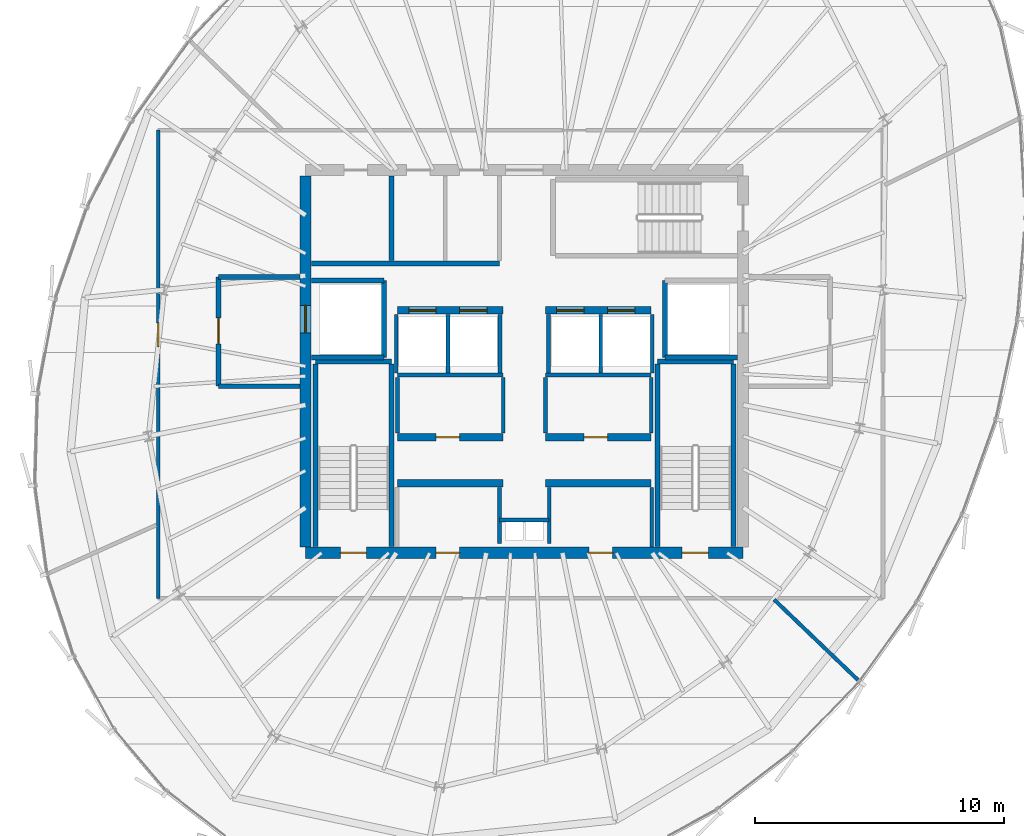
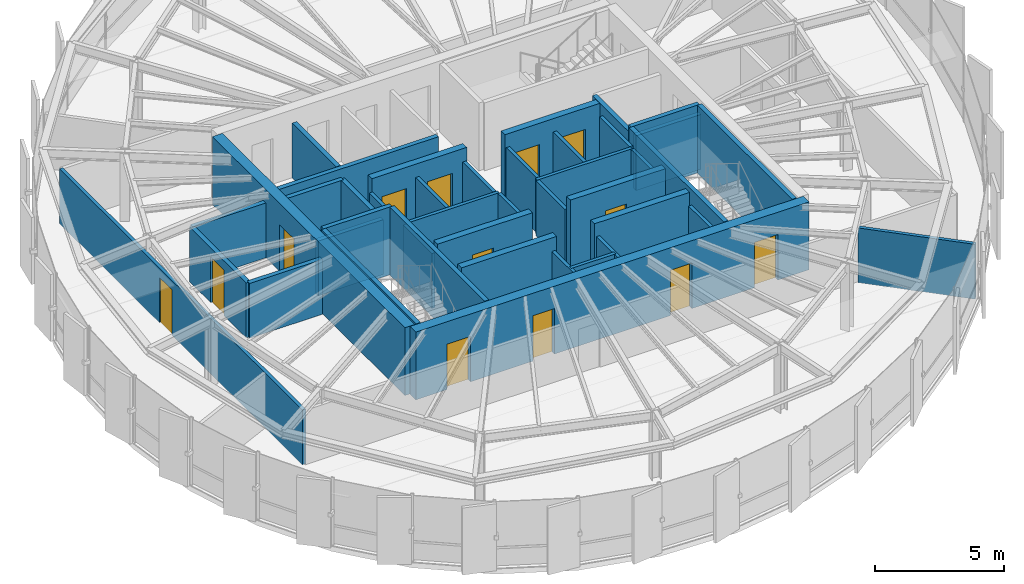
# One storey, part 25 of 31: 42 walls, 13 doors, 13 openings.
"""IFC4 building model written with IfcOpenShell, lengths in metres."""

from ifc_helpers import new_model, si_unit, direction, frame, frame_2d, origin, place, context, subcontext, project, spatial, rectangle, extrude, source, transform, mapped, material, layer, layer_set, type_object, element, fill, save


model = new_model("IFC4")

# Units and contexts
model_context = context("Model", 3, precision=1e-05, world=origin(), true_north=direction((0.0, 1.0)))
body_context = subcontext(model_context, "Body", "Model", "MODEL_VIEW")
ifc_project = project(units=[si_unit("LENGTHUNIT", "METRE"), si_unit("AREAUNIT", "SQUARE_METRE"), si_unit("VOLUMEUNIT", "CUBIC_METRE"), si_unit("PLANEANGLEUNIT", "RADIAN"), si_unit("MASSUNIT", "GRAM", prefix="KILO"), si_unit("THERMODYNAMICTEMPERATUREUNIT", "KELVIN")], contexts=[model_context])

# Site, building, storey
site_placement = place(None, origin())
site = spatial("IfcSite", under=ifc_project, at=site_placement, CompositionType="ELEMENT")
building_placement = place(site_placement, origin())
building = spatial("IfcBuilding", under=site, at=building_placement, Name="Kethvar Cultural Tower", CompositionType="ELEMENT")
storey_placement = place(building_placement, frame((0.0, 0.0, 269.800048828125)))
storey = spatial("IfcBuildingStorey", under=building, at=storey_placement, Name="L71", CompositionType="ELEMENT", Elevation=269.800048828125)

# Wall, openings, doors
ifc_material_1 = material(Name="Concrete C50/60", Category="concrete")
ifc_layer_1 = layer(ifc_material_1, 0.449951171875, Name="Concrete C50/60", Category="concrete")
ifc_layer_set_1 = layer_set([ifc_layer_1], Name="Concrete C50/60 (450 mm)")
wall_type_1 = type_object("IfcWallType", Name="WL-CORE-450", PredefinedType="SHEAR", material=ifc_layer_set_1)
wall_1_placement = place(storey_placement, frame((38.0, 20.10009765625, 0.0), z_axis=(0.0, 0.0, 1.0), x_axis=(1.0, 0.0, 0.0)))
wall_1 = element("IfcWall", 1, at=wall_1_placement, inside=storey, type_object=wall_type_1, Name="L71 Core Shear Wall S", PredefinedType="SHEAR", context=body_context, shape_type="SweptSolid", body=[
    extrude(rectangle(XDim=17.60009765625, YDim=0.449951171875, at=frame_2d((8.800048828125, 0.0))), origin(), (0.0, 0.0, 1.0), 3.2099609375),
])
opening_1_placement = place(wall_1_placement, frame((1.39990234375, 0.0, 0.0)))
opening_1 = element("IfcOpeningElement", 2, at=opening_1_placement, cuts=wall_1, Name="Opening D-L71-S1", PredefinedType="OPENING", context=body_context, shape_type="SweptSolid", body=[
    extrude(rectangle(XDim=1.050048828125, YDim=2.14990234375, at=frame_2d((0.52490234375, 1.074951171875))), frame((0.0, 0.23486328125, 0.0), z_axis=(0.0, -1.0, 0.0), x_axis=(1.0, 0.0, 0.0)), (0.0, 0.0, 1.0), 0.469970703125),
])
opening_2_placement = place(wall_1_placement, frame((15.14990234375, 0.0, 0.0)))
opening_2 = element("IfcOpeningElement", 3, at=opening_2_placement, cuts=wall_1, Name="Opening D-L71-ST2", PredefinedType="OPENING", context=body_context, shape_type="SweptSolid", body=[
    extrude(rectangle(XDim=1.050048828125, YDim=2.14990234375, at=frame_2d((0.52490234375, 1.074951171875))), frame((0.0, 0.23486328125, 0.0), z_axis=(0.0, -1.0, 0.0), x_axis=(1.0, 0.0, 0.0)), (0.0, 0.0, 1.0), 0.469970703125),
])
opening_3_placement = place(wall_1_placement, frame((5.25, 0.0, 0.0)))
opening_3 = element("IfcOpeningElement", 4, at=opening_3_placement, cuts=wall_1, Name="Opening D-L71-V1", PredefinedType="OPENING", context=body_context, shape_type="SweptSolid", body=[
    extrude(rectangle(XDim=0.949951171875, YDim=2.14990234375, at=frame_2d((0.47509765625, 1.074951171875))), frame((0.0, 0.23486328125, 0.0), z_axis=(0.0, -1.0, 0.0), x_axis=(1.0, 0.0, 0.0)), (0.0, 0.0, 1.0), 0.469970703125),
])
opening_4_placement = place(wall_1_placement, frame((11.39990234375, 0.0, 0.0)))
opening_4 = element("IfcOpeningElement", 5, at=opening_4_placement, cuts=wall_1, Name="Opening D-L71-V2", PredefinedType="OPENING", context=body_context, shape_type="SweptSolid", body=[
    extrude(rectangle(XDim=0.949951171875, YDim=2.14990234375, at=frame_2d((0.47509765625, 1.074951171875))), frame((0.0, 0.23486328125, 0.0), z_axis=(0.0, -1.0, 0.0), x_axis=(1.0, 0.0, 0.0)), (0.0, 0.0, 1.0), 0.469970703125),
])
ifc_material_2 = material(Name="Steel S355J2", Category="steel")
door_type_1 = type_object("IfcDoorType", Name="DR-FD60-1050", OperationType="NOTDEFINED", PredefinedType="DOOR", material=ifc_material_2)
shared_shape_1 = source(origin(), body_context, "Body", "SweptSolid", [
    extrude(rectangle(XDim=1.050048828125, YDim=2.14990234375, at=frame_2d((0.52490234375, 1.074951171875))), frame((0.0, 0.02490234375, 0.0), z_axis=(0.0, -1.0, 0.0), x_axis=(1.0, 0.0, 0.0)), (0.0, 0.0, 1.0), 0.050048828125),
])
door_1_placement = place(opening_1_placement, origin())
door_1 = element("IfcDoor", 6, at=door_1_placement, inside=storey, type_object=door_type_1, Name="L71 Exit Stair 1 Door", OperationType="SINGLE_SWING_LEFT", OverallHeight=2.14990234375, OverallWidth=1.050048828125, PredefinedType="DOOR", context=body_context, shape_type="MappedRepresentation", body=[
    mapped(shared_shape_1, transform((0.0, 0.0, 0.0), scale=1.0)),
])
fill(opening_1, door_1)
door_2_placement = place(opening_2_placement, origin())
door_2 = element("IfcDoor", 7, at=door_2_placement, inside=storey, type_object=door_type_1, Name="L71 Exit Stair 2 Door", OperationType="SINGLE_SWING_RIGHT", OverallHeight=2.14990234375, OverallWidth=1.050048828125, PredefinedType="DOOR", context=body_context, shape_type="MappedRepresentation", body=[
    mapped(shared_shape_1, transform((0.0, 0.0, 0.0), scale=1.0)),
])
fill(opening_2, door_2)
ifc_material_3 = material(Name="Architectural Oak Timber", Category="wood")
door_type_2 = type_object("IfcDoorType", Name="DR-FD30-950", OperationType="NOTDEFINED", PredefinedType="DOOR", material=ifc_material_3)
shared_shape_2 = source(origin(), body_context, "Body", "SweptSolid", [
    extrude(rectangle(XDim=0.949951171875, YDim=2.14990234375, at=frame_2d((0.47509765625, 1.074951171875))), frame((0.0, 0.02490234375, 0.0), z_axis=(0.0, -1.0, 0.0), x_axis=(1.0, 0.0, 0.0)), (0.0, 0.0, 1.0), 0.050048828125),
])
door_3_placement = place(opening_3_placement, origin())
door_3 = element("IfcDoor", 8, at=door_3_placement, inside=storey, type_object=door_type_2, Name="L71 Reclaimed West Room Door", OperationType="SINGLE_SWING_LEFT", OverallHeight=2.14990234375, OverallWidth=0.949951171875, PredefinedType="DOOR", context=body_context, shape_type="MappedRepresentation", body=[
    mapped(shared_shape_2, transform((0.0, 0.0, 0.0), scale=1.0)),
])
fill(opening_3, door_3)
door_4_placement = place(opening_4_placement, origin())
door_4 = element("IfcDoor", 9, at=door_4_placement, inside=storey, type_object=door_type_2, Name="L71 Reclaimed East Room Door", OperationType="SINGLE_SWING_RIGHT", OverallHeight=2.14990234375, OverallWidth=0.949951171875, PredefinedType="DOOR", context=body_context, shape_type="MappedRepresentation", body=[
    mapped(shared_shape_2, transform((0.0, 0.0, 0.0), scale=1.0)),
])
fill(opening_4, door_4)

# Wall, opening, door
wall_2_placement = place(storey_placement, frame((38.0, 35.260009765625, 0.0), z_axis=(0.0, 0.0, 1.0), x_axis=(0.0, -1.0, 0.0)))
wall_2 = element("IfcWall", 10, at=wall_2_placement, inside=storey, type_object=wall_type_1, Name="L71 Core Shear Wall W", PredefinedType="SHEAR", context=body_context, shape_type="SweptSolid", body=[
    extrude(rectangle(XDim=14.919921875, YDim=0.449951171875, at=frame_2d((7.4599609375, 0.0))), origin(), (0.0, 0.0, 1.0), 3.2099609375),
])
opening_5_placement = place(wall_2_placement, frame((5.2099609375, 0.0, 0.0)))
opening_5 = element("IfcOpeningElement", 11, at=opening_5_placement, cuts=wall_2, Name="Opening LD-1", PredefinedType="OPENING", context=body_context, shape_type="SweptSolid", body=[
    extrude(rectangle(XDim=1.10009765625, YDim=2.199951171875, at=frame_2d((0.550048828125, 1.10009765625))), frame((0.0, 0.23486328125, 0.0), z_axis=(0.0, -1.0, 0.0), x_axis=(1.0, 0.0, 0.0)), (0.0, 0.0, 1.0), 0.469970703125),
])
door_type_3 = type_object("IfcDoorType", Name="DR-LIFT-SLIDE-1100", OperationType="NOTDEFINED", PredefinedType="DOOR", material=ifc_material_2)
shared_shape_3 = source(origin(), body_context, "Body", "SweptSolid", [
    extrude(rectangle(XDim=1.10009765625, YDim=2.199951171875, at=frame_2d((0.550048828125, 1.10009765625))), frame((0.0, 0.02490234375, 0.0), z_axis=(0.0, -1.0, 0.0), x_axis=(1.0, 0.0, 0.0)), (0.0, 0.0, 1.0), 0.050048828125),
])
door_5_placement = place(opening_5_placement, origin())
door_5 = element("IfcDoor", 12, at=door_5_placement, inside=storey, type_object=door_type_3, Name="L71 Firefighting Lift Landing Door FFL-01", OperationType="SLIDING_TO_LEFT", OverallHeight=2.199951171875, OverallWidth=1.10009765625, PredefinedType="DOOR", context=body_context, shape_type="MappedRepresentation", body=[
    mapped(shared_shape_3, transform((0.0, 0.0, 0.0), scale=1.0)),
])
fill(opening_5, door_5)

# Walls
ifc_material_4 = material(Name="Gypsum Fireboard Partition")
ifc_layer_2 = layer(ifc_material_4, 0.14990234375, Name="Gypsum Fireboard Partition")
ifc_layer_set_2 = layer_set([ifc_layer_2], Name="Gypsum Fireboard Partition (150 mm)")
wall_type_2 = type_object("IfcWallType", Name="WL-FIRE-150", PredefinedType="PARTITIONING", material=ifc_layer_set_2)
wall_3_placement = place(storey_placement, frame((45.800048828125, 21.419921875, 0.0), z_axis=(0.0, 0.0, 1.0), x_axis=(1.0, 0.0, 0.0)))
element("IfcWall", 13, at=wall_3_placement, inside=storey, type_object=wall_type_2, Name="L71 Core Riser Wall", PredefinedType="PARTITIONING", context=body_context, shape_type="SweptSolid", body=[
    extrude(rectangle(XDim=2.0, YDim=0.14990234375, at=frame_2d((1.0, 0.0))), origin(), (0.0, 0.0, 1.0), 2.594970703125),
])
for number, where, z_axis, x_axis, name in (
    (14, (45.800048828125, 20.47998046875, 0.0), (0.0, 0.0, 1.0), (0.0, 1.0, 0.0), "L71 Core Riser West Wall"),
    (15, (47.800048828125, 20.47998046875, 0.0), (0.0, 0.0, 1.0), (0.0, 1.0, 0.0), "L71 Core Riser East Wall"),
):
    element("IfcWall", number, at=place(storey_placement, frame(where, z_axis=z_axis, x_axis=x_axis)), inside=storey, type_object=wall_type_2, Name=name, PredefinedType="PARTITIONING", context=body_context, shape_type="SweptSolid", body=[
        extrude(rectangle(XDim=2.239990234375, YDim=0.14990234375, at=frame_2d((1.1201171875, 0.0))), origin(), (0.0, 0.0, 1.0), 2.594970703125),
    ])
wall_4_placement = place(storey_placement, frame((51.919921875, 20.3349609375, 0.0), z_axis=(0.0, 0.0, 1.0), x_axis=(0.0, 1.0, 0.0)))
element("IfcWall", 16, at=wall_4_placement, inside=storey, type_object=wall_type_2, Name="L71 Reclaimed East Outer Wall", PredefinedType="PARTITIONING", context=body_context, shape_type="SweptSolid", body=[
    extrude(rectangle(XDim=2.39501953125, YDim=0.14990234375, at=frame_2d((1.197509765625, 0.0))), origin(), (0.0, 0.0, 1.0), 2.594970703125),
])
for number, where, z_axis, x_axis, name in (
    (17, (41.699951171875, 27.25, 0.0), (0.0, 0.0, 1.0), (1.0, 0.0, 0.0), "L71 Reclaimed Mid Wall W"),
    (18, (47.64990234375, 27.25, 0.0), (0.0, 0.0, 1.0), (1.0, 0.0, 0.0), "L71 Reclaimed Mid Wall E"),
):
    element("IfcWall", number, at=place(storey_placement, frame(where, z_axis=z_axis, x_axis=x_axis)), inside=storey, type_object=wall_type_2, Name=name, PredefinedType="PARTITIONING", context=body_context, shape_type="SweptSolid", body=[
        extrude(rectangle(XDim=4.25, YDim=0.14990234375, at=frame_2d((2.125, 0.0))), origin(), (0.0, 0.0, 1.0), 2.594970703125),
    ])
for number, where, z_axis, x_axis, name in (
    (19, (41.699951171875, 24.919921875, 0.0), (0.0, 0.0, 1.0), (0.0, 1.0, 0.0), "L71 Reclaimed Mid Outer W"),
    (20, (45.949951171875, 24.919921875, 0.0), (0.0, 0.0, 1.0), (0.0, 1.0, 0.0), "L71 Reclaimed Mid Spine W"),
    (21, (47.64990234375, 24.919921875, 0.0), (0.0, 0.0, 1.0), (0.0, 1.0, 0.0), "L71 Reclaimed Mid Spine E"),
    (22, (51.89990234375, 24.919921875, 0.0), (0.0, 0.0, 1.0), (0.0, 1.0, 0.0), "L71 Reclaimed Mid Outer E"),
):
    element("IfcWall", number, at=place(storey_placement, frame(where, z_axis=z_axis, x_axis=x_axis)), inside=storey, type_object=wall_type_2, Name=name, PredefinedType="PARTITIONING", context=body_context, shape_type="SweptSolid", body=[
        extrude(rectangle(XDim=2.239990234375, YDim=0.14990234375, at=frame_2d((1.1201171875, 0.0))), origin(), (0.0, 0.0, 1.0), 2.594970703125),
    ])
for number, where, z_axis, x_axis, name in (
    (23, (41.64990234375, 27.340087890625, 0.0), (0.0, 0.0, 1.0), (0.0, 1.0, 0.0), "L71 High-Rise Lift Shaft Outer Wall W"),
    (24, (43.72509765625, 27.340087890625, 0.0), (0.0, 0.0, 1.0), (0.0, 1.0, 0.0), "L71 High-Rise Lift Shaft Divider W"),
    (25, (45.824951171875, 27.340087890625, 0.0), (0.0, 0.0, 1.0), (0.0, 1.0, 0.0), "L71 High-Rise Lift Shaft Concourse Wall W"),
    (26, (47.77490234375, 27.340087890625, 0.0), (0.0, 0.0, 1.0), (0.0, 1.0, 0.0), "L71 High-Rise Lift Shaft Concourse Wall E"),
    (27, (49.875, 27.340087890625, 0.0), (0.0, 0.0, 1.0), (0.0, 1.0, 0.0), "L71 High-Rise Lift Shaft Divider E"),
    (28, (51.949951171875, 27.340087890625, 0.0), (0.0, 0.0, 1.0), (0.0, 1.0, 0.0), "L71 High-Rise Lift Shaft Outer Wall E"),
):
    element("IfcWall", number, at=place(storey_placement, frame(where, z_axis=z_axis, x_axis=x_axis)), inside=storey, type_object=wall_type_2, Name=name, PredefinedType="PARTITIONING", context=body_context, shape_type="SweptSolid", body=[
        extrude(rectangle(XDim=2.33984375, YDim=0.14990234375, at=frame_2d((1.169921875, 0.0))), origin(), (0.0, 0.0, 1.0), 2.594970703125),
    ])

# Wall, opening, door
wall_5_placement = place(storey_placement, frame((32.070068359375, 37.10009765625, 0.0), z_axis=(0.0, 0.0, 1.0), x_axis=(0.0, -1.0, 0.0)))
wall_5 = element("IfcWall", 29, at=wall_5_placement, inside=storey, type_object=wall_type_2, Name="L71 Corridor Rated Wall W", PredefinedType="PARTITIONING", context=body_context, shape_type="SweptSolid", body=[
    extrude(rectangle(XDim=18.8310546875, YDim=0.14990234375, at=frame_2d((9.41552734375, 0.0))), origin(), (0.0, 0.0, 1.0), 2.594970703125),
])
opening_6_placement = place(wall_5_placement, frame((7.75390625, 0.0, 0.0)))
opening_6 = element("IfcOpeningElement", 30, at=opening_6_placement, cuts=wall_5, Name="Opening D-L71-04", PredefinedType="OPENING", context=body_context, shape_type="SweptSolid", body=[
    extrude(rectangle(XDim=0.949951171875, YDim=2.14990234375, at=frame_2d((0.47509765625, 1.074951171875))), frame((0.0, 0.0849609375, 0.0), z_axis=(0.0, -1.0, 0.0), x_axis=(1.0, 0.0, 0.0)), (0.0, 0.0, 1.0), 0.169921875),
])
door_6_placement = place(opening_6_placement, origin())
door_6 = element("IfcDoor", 31, at=door_6_placement, inside=storey, type_object=door_type_2, Name="L71 Special Collections Storage 04 Door", OperationType="SINGLE_SWING_LEFT", OverallHeight=2.14990234375, OverallWidth=0.949951171875, PredefinedType="DOOR", context=body_context, shape_type="MappedRepresentation", body=[
    mapped(shared_shape_2, transform((0.0, 0.0, 0.0), scale=1.0)),
])
fill(opening_6, door_6)

# Walls
ifc_material_5 = material(Name="Concrete C40/50", Category="concrete")
ifc_layer_3 = layer(ifc_material_5, 0.199951171875, Name="Concrete C40/50", Category="concrete")
ifc_layer_set_3 = layer_set([ifc_layer_3], Name="Concrete C40/50 (200 mm)")
wall_type_3 = type_object("IfcWallType", Name="WL-FIRE-200", PredefinedType="PARTITIONING", material=ifc_layer_set_3)
wall_6_placement = place(storey_placement, frame((41.14990234375, 27.949951171875, 0.0), z_axis=(0.0, 0.0, 1.0), x_axis=(0.0, 1.0, 0.0)))
element("IfcWall", 32, at=wall_6_placement, inside=storey, type_object=wall_type_3, Name="L71 FFL-01 Shaft Inner Wall", PredefinedType="PARTITIONING", context=body_context, shape_type="SweptSolid", body=[
    extrude(rectangle(XDim=3.10009765625, YDim=0.199951171875, at=frame_2d((1.550048828125, 0.0))), origin(), (0.0, 0.0, 1.0), 2.594970703125),
])
for number, where, z_axis, x_axis, name in (
    (33, (38.235107421875, 27.949951171875, 0.0), (0.0, 0.0, 1.0), (1.0, 0.0, 0.0), "L71 FFL-01 Shaft South Wall"),
    (34, (38.235107421875, 31.050048828125, 0.0), (0.0, 0.0, 1.0), (1.0, 0.0, 0.0), "L71 FFL-01 Shaft North Wall"),
):
    element("IfcWall", number, at=place(storey_placement, frame(where, z_axis=z_axis, x_axis=x_axis)), inside=storey, type_object=wall_type_3, Name=name, PredefinedType="PARTITIONING", context=body_context, shape_type="SweptSolid", body=[
        extrude(rectangle(XDim=2.914794921875, YDim=0.199951171875, at=frame_2d((1.45751953125, 0.0))), origin(), (0.0, 0.0, 1.0), 2.594970703125),
    ])

# Wall, opening, door
wall_7_placement = place(storey_placement, frame((34.5, 31.199951171875, 0.0), z_axis=(0.0, 0.0, 1.0), x_axis=(0.0, -1.0, 0.0)))
wall_7 = element("IfcWall", 35, at=wall_7_placement, inside=storey, type_object=wall_type_3, Name="L71 Firefighting Lobby 1 Wall", PredefinedType="PARTITIONING", context=body_context, shape_type="SweptSolid", body=[
    extrude(rectangle(XDim=4.39990234375, YDim=0.199951171875, at=frame_2d((2.199951171875, 0.0))), origin(), (0.0, 0.0, 1.0), 2.594970703125),
])
opening_7_placement = place(wall_7_placement, frame((1.64990234375, 0.0, 0.0)))
opening_7 = element("IfcOpeningElement", 36, at=opening_7_placement, cuts=wall_7, Name="Opening D-L71-F1", PredefinedType="OPENING", context=body_context, shape_type="SweptSolid", body=[
    extrude(rectangle(XDim=1.050048828125, YDim=2.14990234375, at=frame_2d((0.52490234375, 1.074951171875))), frame((0.0, 0.10986328125, 0.0), z_axis=(0.0, -1.0, 0.0), x_axis=(1.0, 0.0, 0.0)), (0.0, 0.0, 1.0), 0.219970703125),
])
door_7_placement = place(opening_7_placement, origin())
door_7 = element("IfcDoor", 37, at=door_7_placement, inside=storey, type_object=door_type_1, Name="L71 Firefighting Lobby 1 Fire Door", OperationType="SINGLE_SWING_LEFT", OverallHeight=2.14990234375, OverallWidth=1.050048828125, PredefinedType="DOOR", context=body_context, shape_type="MappedRepresentation", body=[
    mapped(shared_shape_1, transform((0.0, 0.0, 0.0), scale=1.0)),
])
fill(opening_7, door_7)

# Walls
for number, where, z_axis, x_axis, name in (
    (38, (34.5, 26.800048828125, 0.0), (0.0, 0.0, 1.0), (1.0, 0.0, 0.0), "L71 FF Lobby 1 South Wall"),
    (39, (34.5, 31.199951171875, 0.0), (0.0, 0.0, 1.0), (1.0, 0.0, 0.0), "L71 FF Lobby 1 North Wall"),
):
    element("IfcWall", number, at=place(storey_placement, frame(where, z_axis=z_axis, x_axis=x_axis)), inside=storey, type_object=wall_type_3, Name=name, PredefinedType="PARTITIONING", context=body_context, shape_type="SweptSolid", body=[
        extrude(rectangle(XDim=3.264892578125, YDim=0.199951171875, at=frame_2d((1.63232421875, 0.0))), origin(), (0.0, 0.0, 1.0), 2.594970703125),
    ])
wall_8_placement = place(storey_placement, frame((52.449951171875, 27.949951171875, 0.0), z_axis=(0.0, 0.0, 1.0), x_axis=(0.0, 1.0, 0.0)))
element("IfcWall", 40, at=wall_8_placement, inside=storey, type_object=wall_type_3, Name="L71 FFL-02 Shaft Inner Wall", PredefinedType="PARTITIONING", context=body_context, shape_type="SweptSolid", body=[
    extrude(rectangle(XDim=3.10009765625, YDim=0.199951171875, at=frame_2d((1.550048828125, 0.0))), origin(), (0.0, 0.0, 1.0), 2.594970703125),
])
wall_9_placement = place(storey_placement, frame((52.449951171875, 27.949951171875, 0.0), z_axis=(0.0, 0.0, 1.0), x_axis=(1.0, 0.0, 0.0)))
element("IfcWall", 41, at=wall_9_placement, inside=storey, type_object=wall_type_3, Name="L71 FFL-02 Shaft South Wall", PredefinedType="PARTITIONING", context=body_context, shape_type="SweptSolid", body=[
    extrude(rectangle(XDim=2.9150390625, YDim=0.199951171875, at=frame_2d((1.45751953125, 0.0))), origin(), (0.0, 0.0, 1.0), 2.594970703125),
])
wall_10_placement = place(storey_placement, frame((41.449951171875, 31.85009765625, 0.0), z_axis=(0.0, 0.0, 1.0), x_axis=(0.0, 1.0, 0.0)))
element("IfcWall", 42, at=wall_10_placement, inside=storey, type_object=wall_type_3, Name="L71 NW Core Pocket Wall", PredefinedType="PARTITIONING", context=body_context, shape_type="SweptSolid", body=[
    extrude(rectangle(XDim=3.414794921875, YDim=0.199951171875, at=frame_2d((1.70751953125, 0.0))), origin(), (0.0, 0.0, 1.0), 2.594970703125),
])
wall_11_placement = place(storey_placement, frame((38.235107421875, 31.72998046875, 0.0), z_axis=(0.0, 0.0, 1.0), x_axis=(1.0, 0.0, 0.0)))
element("IfcWall", 43, at=wall_11_placement, inside=storey, type_object=wall_type_3, Name="L71 North Core Sanitary South Wall", PredefinedType="PARTITIONING", context=body_context, shape_type="SweptSolid", body=[
    extrude(rectangle(XDim=7.56494140625, YDim=0.199951171875, at=frame_2d((3.782470703125, 0.0))), origin(), (0.0, 0.0, 1.0), 2.594970703125),
])
ifc_material_6 = material(Name="Gypsum Acoustic Partition")
ifc_layer_4 = layer(ifc_material_6, 0.14990234375, Name="Gypsum Acoustic Partition")
ifc_layer_set_4 = layer_set([ifc_layer_4], Name="Gypsum Acoustic Partition (150 mm)")
wall_type_4 = type_object("IfcWallType", Name="WL-PART-150", PredefinedType="PARTITIONING", material=ifc_layer_set_4)
wall_12_placement = place(storey_placement, frame((56.8525390625, 18.213623046875, 0.0), z_axis=(0.0, 0.0, 1.0), x_axis=(0.721715732621, -0.69218957034, 0.0)))
element("IfcWall", 44, at=wall_12_placement, inside=storey, type_object=wall_type_4, Name="L71 Radial Partition Wall 02", PredefinedType="PARTITIONING", context=body_context, shape_type="SweptSolid", body=[
    extrude(rectangle(XDim=4.66357421875, YDim=0.14990234375, at=frame_2d((2.331787109375, 0.0))), origin(), (0.0, 0.0, 1.0), 2.594970703125),
])
ifc_layer_5 = layer(ifc_material_1, 0.300048828125, Name="Concrete C50/60", Category="concrete")
ifc_layer_set_5 = layer_set([ifc_layer_5], Name="Concrete C50/60 (300 mm)")
wall_type_5 = type_object("IfcWallType", Name="WL-SHAFT-300", PredefinedType="SHEAR", material=ifc_layer_set_5)
for number, where, z_axis, x_axis, name in (
    (45, (41.699951171875, 22.89990234375, 0.0), (0.0, 0.0, 1.0), (1.0, 0.0, 0.0), "L71 Core Lift Spine Wall MID1W"),
    (46, (47.64990234375, 22.89990234375, 0.0), (0.0, 0.0, 1.0), (1.0, 0.0, 0.0), "L71 Core Lift Spine Wall MID1E"),
):
    element("IfcWall", number, at=place(storey_placement, frame(where, z_axis=z_axis, x_axis=x_axis)), inside=storey, type_object=wall_type_5, Name=name, PredefinedType="SHEAR", context=body_context, shape_type="SweptSolid", body=[
        extrude(rectangle(XDim=4.25, YDim=0.300048828125, at=frame_2d((2.125, 0.0))), origin(), (0.0, 0.0, 1.0), 3.2099609375),
    ])

# Wall, opening, door
wall_13_placement = place(storey_placement, frame((41.699951171875, 24.75, 0.0), z_axis=(0.0, 0.0, 1.0), x_axis=(1.0, 0.0, 0.0)))
wall_13 = element("IfcWall", 47, at=wall_13_placement, inside=storey, type_object=wall_type_5, Name="L71 Core Lift Spine Wall MID2W", PredefinedType="SHEAR", context=body_context, shape_type="SweptSolid", body=[
    extrude(rectangle(XDim=4.25, YDim=0.300048828125, at=frame_2d((2.125, 0.0))), origin(), (0.0, 0.0, 1.0), 3.2099609375),
])
opening_8_placement = place(wall_13_placement, frame((1.550048828125, 0.0, 0.0)))
opening_8 = element("IfcOpeningElement", 48, at=opening_8_placement, cuts=wall_13, Name="Opening D-L71-M1", PredefinedType="OPENING", context=body_context, shape_type="SweptSolid", body=[
    extrude(rectangle(XDim=0.949951171875, YDim=2.14990234375, at=frame_2d((0.47509765625, 1.074951171875))), frame((0.0, 0.159912109375, 0.0), z_axis=(0.0, -1.0, 0.0), x_axis=(1.0, 0.0, 0.0)), (0.0, 0.0, 1.0), 0.320068359375),
])
door_8_placement = place(opening_8_placement, origin())
door_8 = element("IfcDoor", 49, at=door_8_placement, inside=storey, type_object=door_type_2, Name="L71 Mid West Room Door", OperationType="SINGLE_SWING_LEFT", OverallHeight=2.14990234375, OverallWidth=0.949951171875, PredefinedType="DOOR", context=body_context, shape_type="MappedRepresentation", body=[
    mapped(shared_shape_2, transform((0.0, 0.0, 0.0), scale=1.0)),
])
fill(opening_8, door_8)

wall_14_placement = place(storey_placement, frame((47.64990234375, 24.75, 0.0), z_axis=(0.0, 0.0, 1.0), x_axis=(1.0, 0.0, 0.0)))
wall_14 = element("IfcWall", 50, at=wall_14_placement, inside=storey, type_object=wall_type_5, Name="L71 Core Lift Spine Wall MID2E", PredefinedType="SHEAR", context=body_context, shape_type="SweptSolid", body=[
    extrude(rectangle(XDim=4.25, YDim=0.300048828125, at=frame_2d((2.125, 0.0))), origin(), (0.0, 0.0, 1.0), 3.2099609375),
])
opening_9_placement = place(wall_14_placement, frame((1.550048828125, 0.0, 0.0)))
opening_9 = element("IfcOpeningElement", 51, at=opening_9_placement, cuts=wall_14, Name="Opening D-L71-M2", PredefinedType="OPENING", context=body_context, shape_type="SweptSolid", body=[
    extrude(rectangle(XDim=0.949951171875, YDim=2.14990234375, at=frame_2d((0.47509765625, 1.074951171875))), frame((0.0, 0.159912109375, 0.0), z_axis=(0.0, -1.0, 0.0), x_axis=(1.0, 0.0, 0.0)), (0.0, 0.0, 1.0), 0.320068359375),
])
door_9_placement = place(opening_9_placement, origin())
door_9 = element("IfcDoor", 52, at=door_9_placement, inside=storey, type_object=door_type_2, Name="L71 Mid East Room Door", OperationType="SINGLE_SWING_RIGHT", OverallHeight=2.14990234375, OverallWidth=0.949951171875, PredefinedType="DOOR", context=body_context, shape_type="MappedRepresentation", body=[
    mapped(shared_shape_2, transform((0.0, 0.0, 0.0), scale=1.0)),
])
fill(opening_9, door_9)

# Wall, openings, doors
wall_15_placement = place(storey_placement, frame((41.699951171875, 29.85009765625, 0.0), z_axis=(0.0, 0.0, 1.0), x_axis=(1.0, 0.0, 0.0)))
wall_15 = element("IfcWall", 53, at=wall_15_placement, inside=storey, type_object=wall_type_5, Name="L71 Core Lift Spine Wall MID3W", PredefinedType="SHEAR", context=body_context, shape_type="SweptSolid", body=[
    extrude(rectangle(XDim=4.25, YDim=0.300048828125, at=frame_2d((2.125, 0.0))), origin(), (0.0, 0.0, 1.0), 3.2099609375),
])
opening_10_placement = place(wall_15_placement, frame((0.449951171875, 0.0, 0.0)))
opening_10 = element("IfcOpeningElement", 54, at=opening_10_placement, cuts=wall_15, Name="Opening LD-H1", PredefinedType="OPENING", context=body_context, shape_type="SweptSolid", body=[
    extrude(rectangle(XDim=1.10009765625, YDim=2.199951171875, at=frame_2d((0.550048828125, 1.10009765625))), frame((0.0, 0.159912109375, 0.0), z_axis=(0.0, -1.0, 0.0), x_axis=(1.0, 0.0, 0.0)), (0.0, 0.0, 1.0), 0.320068359375),
])
opening_11_placement = place(wall_15_placement, frame((2.5, 0.0, 0.0)))
opening_11 = element("IfcOpeningElement", 55, at=opening_11_placement, cuts=wall_15, Name="Opening LD-H2", PredefinedType="OPENING", context=body_context, shape_type="SweptSolid", body=[
    extrude(rectangle(XDim=1.10009765625, YDim=2.199951171875, at=frame_2d((0.550048828125, 1.10009765625))), frame((0.0, 0.159912109375, 0.0), z_axis=(0.0, -1.0, 0.0), x_axis=(1.0, 0.0, 0.0)), (0.0, 0.0, 1.0), 0.320068359375),
])
door_10_placement = place(opening_10_placement, origin())
door_10 = element("IfcDoor", 56, at=door_10_placement, inside=storey, type_object=door_type_3, Name="L71 High-Rise Lift Landing Door H1", OperationType="SLIDING_TO_LEFT", OverallHeight=2.199951171875, OverallWidth=1.10009765625, PredefinedType="DOOR", context=body_context, shape_type="MappedRepresentation", body=[
    mapped(shared_shape_3, transform((0.0, 0.0, 0.0), scale=1.0)),
])
fill(opening_10, door_10)
door_11_placement = place(opening_11_placement, origin())
door_11 = element("IfcDoor", 57, at=door_11_placement, inside=storey, type_object=door_type_3, Name="L71 High-Rise Lift Landing Door H2", OperationType="SLIDING_TO_LEFT", OverallHeight=2.199951171875, OverallWidth=1.10009765625, PredefinedType="DOOR", context=body_context, shape_type="MappedRepresentation", body=[
    mapped(shared_shape_3, transform((0.0, 0.0, 0.0), scale=1.0)),
])
fill(opening_11, door_11)

wall_16_placement = place(storey_placement, frame((47.64990234375, 29.85009765625, 0.0), z_axis=(0.0, 0.0, 1.0), x_axis=(1.0, 0.0, 0.0)))
wall_16 = element("IfcWall", 58, at=wall_16_placement, inside=storey, type_object=wall_type_5, Name="L71 Core Lift Spine Wall MID3E", PredefinedType="SHEAR", context=body_context, shape_type="SweptSolid", body=[
    extrude(rectangle(XDim=4.25, YDim=0.300048828125, at=frame_2d((2.125, 0.0))), origin(), (0.0, 0.0, 1.0), 3.2099609375),
])
opening_12_placement = place(wall_16_placement, frame((0.449951171875, 0.0, 0.0)))
opening_12 = element("IfcOpeningElement", 59, at=opening_12_placement, cuts=wall_16, Name="Opening LD-H3", PredefinedType="OPENING", context=body_context, shape_type="SweptSolid", body=[
    extrude(rectangle(XDim=1.10009765625, YDim=2.199951171875, at=frame_2d((0.550048828125, 1.10009765625))), frame((0.0, 0.159912109375, 0.0), z_axis=(0.0, -1.0, 0.0), x_axis=(1.0, 0.0, 0.0)), (0.0, 0.0, 1.0), 0.320068359375),
])
opening_13_placement = place(wall_16_placement, frame((2.5, 0.0, 0.0)))
opening_13 = element("IfcOpeningElement", 60, at=opening_13_placement, cuts=wall_16, Name="Opening LD-H4", PredefinedType="OPENING", context=body_context, shape_type="SweptSolid", body=[
    extrude(rectangle(XDim=1.10009765625, YDim=2.199951171875, at=frame_2d((0.550048828125, 1.10009765625))), frame((0.0, 0.159912109375, 0.0), z_axis=(0.0, -1.0, 0.0), x_axis=(1.0, 0.0, 0.0)), (0.0, 0.0, 1.0), 0.320068359375),
])
door_12_placement = place(opening_12_placement, origin())
door_12 = element("IfcDoor", 61, at=door_12_placement, inside=storey, type_object=door_type_3, Name="L71 High-Rise Lift Landing Door H3", OperationType="SLIDING_TO_LEFT", OverallHeight=2.199951171875, OverallWidth=1.10009765625, PredefinedType="DOOR", context=body_context, shape_type="MappedRepresentation", body=[
    mapped(shared_shape_3, transform((0.0, 0.0, 0.0), scale=1.0)),
])
fill(opening_12, door_12)
door_13_placement = place(opening_13_placement, origin())
door_13 = element("IfcDoor", 62, at=door_13_placement, inside=storey, type_object=door_type_3, Name="L71 High-Rise Lift Landing Door H4", OperationType="SLIDING_TO_LEFT", OverallHeight=2.199951171875, OverallWidth=1.10009765625, PredefinedType="DOOR", context=body_context, shape_type="MappedRepresentation", body=[
    mapped(shared_shape_3, transform((0.0, 0.0, 0.0), scale=1.0)),
])
fill(opening_13, door_13)

# Walls
ifc_layer_6 = layer(ifc_material_1, 0.199951171875, Name="Concrete C50/60", Category="concrete")
ifc_layer_set_6 = layer_set([ifc_layer_6], Name="Concrete C50/60 (200 mm)")
wall_type_6 = type_object("IfcWallType", Name="WL-STSHAFT-200", PredefinedType="SHEAR", material=ifc_layer_set_6)
wall_17_placement = place(storey_placement, frame((38.389892578125, 27.800048828125, 0.0), z_axis=(0.0, 0.0, 1.0), x_axis=(1.0, 0.0, 0.0)))
element("IfcWall", 63, at=wall_17_placement, inside=storey, type_object=wall_type_6, Name="L71 ST-01 Stair Shaft Wall FAR", PredefinedType="SHEAR", context=body_context, shape_type="SweptSolid", body=[
    extrude(rectangle(XDim=3.06005859375, YDim=0.199951171875, at=frame_2d((1.530029296875, 0.0))), origin(), (0.0, 0.0, 1.0), 3.2099609375),
])
for number, where, z_axis, x_axis, name in (
    (64, (41.449951171875, 27.699951171875, 0.0), (0.0, 0.0, 1.0), (0.0, -1.0, 0.0), "L71 ST-01 Stair Shaft Wall LEFT"),
    (65, (38.389892578125, 20.35009765625, 0.0), (0.0, 0.0, 1.0), (0.0, 1.0, 0.0), "L71 ST-01 Stair Shaft Wall RIGHT"),
):
    element("IfcWall", number, at=place(storey_placement, frame(where, z_axis=z_axis, x_axis=x_axis)), inside=storey, type_object=wall_type_6, Name=name, PredefinedType="SHEAR", context=body_context, shape_type="SweptSolid", body=[
        extrude(rectangle(XDim=7.349853515625, YDim=0.199951171875, at=frame_2d((3.6748046875, 0.0))), origin(), (0.0, 0.0, 1.0), 3.2099609375),
    ])
wall_18_placement = place(storey_placement, frame((52.14990234375, 27.800048828125, 0.0), z_axis=(0.0, 0.0, 1.0), x_axis=(1.0, 0.0, 0.0)))
element("IfcWall", 66, at=wall_18_placement, inside=storey, type_object=wall_type_6, Name="L71 ST-02 Stair Shaft Wall FAR", PredefinedType="SHEAR", context=body_context, shape_type="SweptSolid", body=[
    extrude(rectangle(XDim=3.06005859375, YDim=0.199951171875, at=frame_2d((1.530029296875, 0.0))), origin(), (0.0, 0.0, 1.0), 3.2099609375),
])
for number, where, z_axis, x_axis, name in (
    (67, (55.2099609375, 27.699951171875, 0.0), (0.0, 0.0, 1.0), (0.0, -1.0, 0.0), "L71 ST-02 Stair Shaft Wall LEFT"),
    (68, (52.14990234375, 20.35009765625, 0.0), (0.0, 0.0, 1.0), (0.0, 1.0, 0.0), "L71 ST-02 Stair Shaft Wall RIGHT"),
):
    element("IfcWall", number, at=place(storey_placement, frame(where, z_axis=z_axis, x_axis=x_axis)), inside=storey, type_object=wall_type_6, Name=name, PredefinedType="SHEAR", context=body_context, shape_type="SweptSolid", body=[
        extrude(rectangle(XDim=7.349853515625, YDim=0.199951171875, at=frame_2d((3.6748046875, 0.0))), origin(), (0.0, 0.0, 1.0), 3.2099609375),
    ])

save(model, "model.ifc")
